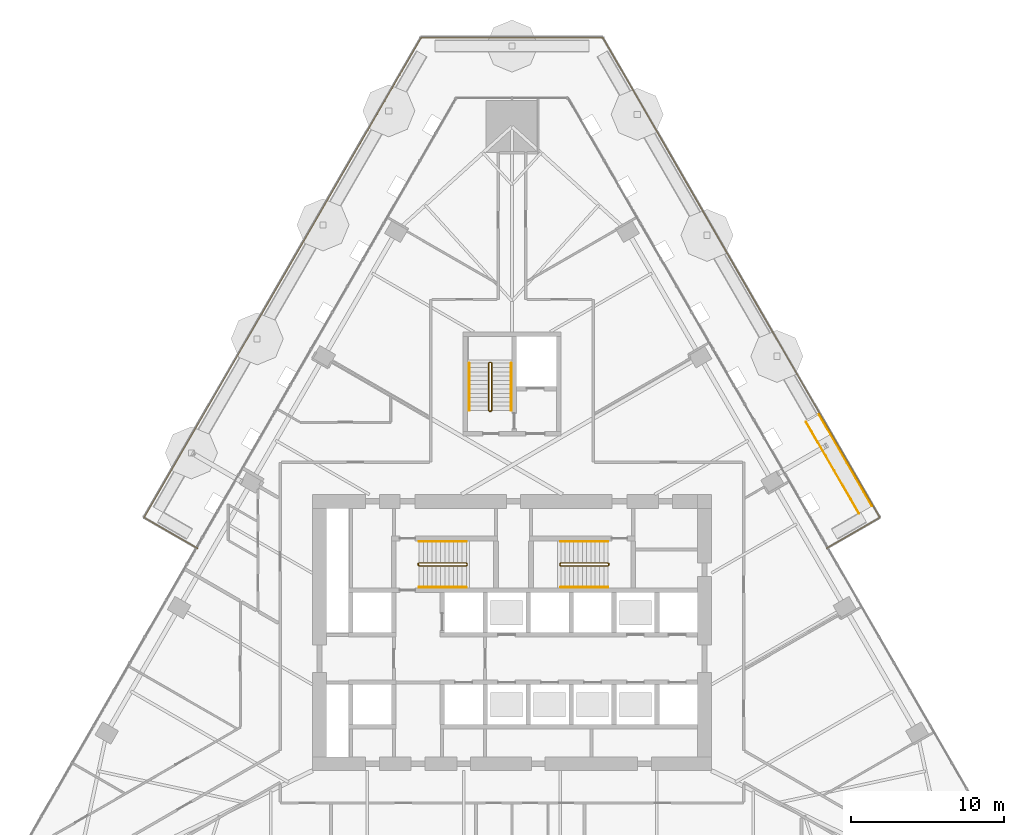
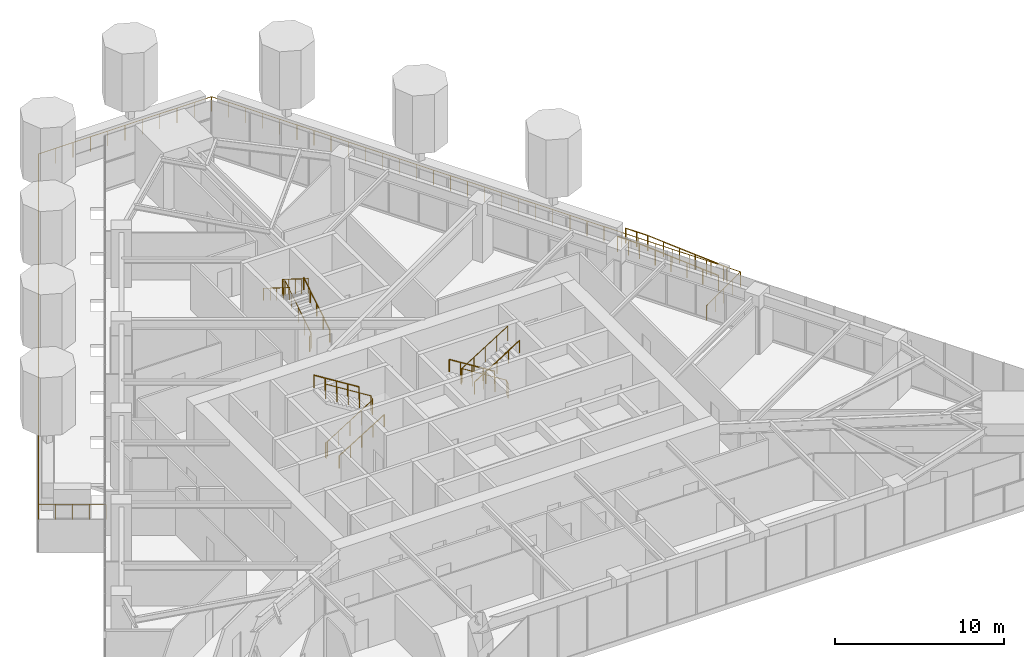
# One storey, part 23 of 25: 12 railings.
"""IFC4 building model written with IfcOpenShell, lengths in metres."""

from ifc_helpers import new_model, si_unit, direction, frame, origin, origin_2d, place, context, subcontext, project, spatial, circle, extrude, material, type_object, element, save


model = new_model("IFC4")

# Units and contexts
model_context = context("Model", 3, precision=1e-05, world=origin(), true_north=direction((0.0, 1.0)))
body_context = subcontext(model_context, "Body", "Model", "MODEL_VIEW")
ifc_project = project(units=[si_unit("LENGTHUNIT", "METRE"), si_unit("AREAUNIT", "SQUARE_METRE"), si_unit("VOLUMEUNIT", "CUBIC_METRE"), si_unit("PLANEANGLEUNIT", "RADIAN"), si_unit("MASSUNIT", "GRAM", prefix="KILO")], contexts=[model_context])

# Site, building, storey
site_placement = place(None, origin())
site = spatial("IfcSite", under=ifc_project, at=site_placement, CompositionType="ELEMENT")
building_placement = place(site_placement, origin())
building = spatial("IfcBuilding", under=site, at=building_placement, Name="Firuza Gate Tower and Library", CompositionType="ELEMENT")
storey_placement = place(building_placement, frame((0.0, 0.0, 86.199951171875)))
storey = spatial("IfcBuildingStorey", under=building, at=storey_placement, Name="L19", CompositionType="ELEMENT", Elevation=86.199951171875)

# Railings
ifc_material_1 = material(Name="Steel S355", Category="steel")
railing_type_1 = type_object("IfcRailingType", Name="Garden ramp guard 1100", PredefinedType="GUARDRAIL", material=ifc_material_1)
for number, where, name in (
    (1, (97.6142578125, 82.752685546875, 0.050048828125), "Ramp guard"),
    (2, (98.462890625, 83.24267578125, 0.050048828125), "Ramp guard"),
):
    element("IfcRailing", number, at=place(storey_placement, frame(where)), inside=storey, type_object=railing_type_1, Name=name, PredefinedType="GUARDRAIL", context=body_context, shape_type="SweptSolid", body=[
        extrude(circle(Radius=0.02392578125, at=origin_2d()), frame((0.0, 0.0, 1.076171875), z_axis=(-0.498629635652, 0.863663140512, 0.073854357826), x_axis=(-0.866028230842, -0.499995103361, 0.0)), (0.0, 0.0, 1.0), 5.414794921875),
        extrude(circle(Radius=0.02392578125, at=origin_2d()), frame((-2.699951171875, 4.676513671875, 1.47607421875), z_axis=(-0.499990139034, 0.866031096941, 0.0), x_axis=(-0.866031096941, -0.499990139034, 0.0)), (0.0, 0.0, 1.0), 1.5),
        extrude(circle(Radius=0.02099609375, at=origin_2d()), origin(), (0.0, 0.0, 1.0), 1.052001953125),
        extrude(circle(Radius=0.02099609375, at=origin_2d()), frame((-0.5400390625, 0.935302734375, 0.080078125)), (0.0, 0.0, 1.0), 1.052001953125),
        extrude(circle(Radius=0.02099609375, at=origin_2d()), frame((-1.080078125, 1.87060546875, 0.159912109375)), (0.0, 0.0, 1.0), 1.052001953125),
        extrude(circle(Radius=0.02099609375, at=origin_2d()), frame((-1.619873046875, 2.805908203125, 0.239990234375)), (0.0, 0.0, 1.0), 1.052001953125),
        extrude(circle(Radius=0.02099609375, at=origin_2d()), frame((-2.159912109375, 3.7412109375, 0.31982421875)), (0.0, 0.0, 1.0), 1.052001953125),
        extrude(circle(Radius=0.02099609375, at=origin_2d()), frame((-2.699951171875, 4.676513671875, 0.39990234375)), (0.0, 0.0, 1.0), 1.052001953125),
        extrude(circle(Radius=0.02099609375, at=origin_2d()), frame((-3.074951171875, 5.326171875, 0.39990234375)), (0.0, 0.0, 1.0), 1.052001953125),
        extrude(circle(Radius=0.02099609375, at=origin_2d()), frame((-3.449951171875, 5.9755859375, 0.39990234375)), (0.0, 0.0, 1.0), 1.052001953125),
    ])
ifc_material_2 = material(Name="Steel S355", Category="steel")
railing_type_2 = type_object("IfcRailingType", Name="Stair guard 1100", PredefinedType="GUARDRAIL", material=ifc_material_2)
railing_1_placement = place(storey_placement, frame((68.889892578125, 79.389892578125, 0.0)))
element("IfcRailing", 3, at=railing_1_placement, inside=storey, type_object=railing_type_2, Name="L19 ST1 stair guard 1", PredefinedType="GUARDRAIL", context=body_context, shape_type="SweptSolid", body=[
    extrude(circle(Radius=0.02392578125, at=origin_2d()), frame((0.0, 0.0, 1.076171875), z_axis=(0.0, 1.0, 0.0), x_axis=(-1.0, 0.0, 0.0)), (0.0, 0.0, 1.0), 0.10009765625),
    extrude(circle(Radius=0.02392578125, at=origin_2d()), frame((0.0, 0.10009765625, 1.076171875), z_axis=(0.21222055169, -0.635626432867, 0.742254319813), x_axis=(0.948528701346, 0.316691178788, 0.0)), (0.0, 0.0, 1.0), 0.23583984375),
    extrude(circle(Radius=0.02392578125, at=origin_2d()), frame((0.050048828125, -0.0498046875, 1.2509765625), z_axis=(0.847998304005, 0.0, 0.529998940003), x_axis=(0.0, 1.0, 0.0)), (0.0, 0.0, 1.0), 3.632080078125),
    extrude(circle(Radius=0.02392578125, at=origin_2d()), frame((3.130126953125, -0.0498046875, 3.17626953125), z_axis=(0.708833529934, 0.705375805398, 0.0), x_axis=(-0.705375805398, 0.708833529934, 0.0)), (0.0, 0.0, 1.0), 0.070556640625),
    extrude(circle(Radius=0.02392578125, at=origin_2d()), frame((3.18017578125, 0.0, 3.17626953125), z_axis=(0.0, 1.0, 0.0), x_axis=(-1.0, 0.0, 0.0)), (0.0, 0.0, 1.0), 0.10009765625),
    extrude(circle(Radius=0.02392578125, at=origin_2d()), frame((3.18017578125, 0.10009765625, 3.17626953125), z_axis=(-0.265065253269, 0.265065253269, 0.927081885822), x_axis=(-0.707106781187, -0.707106781187, 0.0)), (0.0, 0.0, 1.0), 0.188720703125),
    extrude(circle(Radius=0.02392578125, at=origin_2d()), frame((3.130126953125, 0.150146484375, 3.35107421875), z_axis=(-0.848028513186, 0.0, 0.529950602248), x_axis=(0.0, -1.0, 0.0)), (0.0, 0.0, 1.0), 3.632080078125),
    extrude(circle(Radius=0.02099609375, at=origin_2d()), origin(), (0.0, 0.0, 1.0), 1.052001953125),
    extrude(circle(Radius=0.02099609375, at=origin_2d()), frame((0.0, 0.10009765625, 0.0)), (0.0, 0.0, 1.0), 1.052001953125),
    extrude(circle(Radius=0.02099609375, at=origin_2d()), frame((0.050048828125, -0.0498046875, 0.175048828125)), (0.0, 0.0, 1.0), 1.052001953125),
    extrude(circle(Radius=0.02099609375, at=origin_2d()), frame((0.820068359375, -0.0498046875, 0.65625)), (0.0, 0.0, 1.0), 1.052001953125),
    extrude(circle(Radius=0.02099609375, at=origin_2d()), frame((1.590087890625, -0.0498046875, 1.1376953125)), (0.0, 0.0, 1.0), 1.052001953125),
    extrude(circle(Radius=0.02099609375, at=origin_2d()), frame((2.360107421875, -0.0498046875, 1.618896484375)), (0.0, 0.0, 1.0), 1.052001953125),
    extrude(circle(Radius=0.02099609375, at=origin_2d()), frame((3.130126953125, -0.0498046875, 2.10009765625)), (0.0, 0.0, 1.0), 1.052001953125),
    extrude(circle(Radius=0.02099609375, at=origin_2d()), frame((3.18017578125, 0.0, 2.10009765625)), (0.0, 0.0, 1.0), 1.052001953125),
    extrude(circle(Radius=0.02099609375, at=origin_2d()), frame((3.18017578125, 0.10009765625, 2.10009765625)), (0.0, 0.0, 1.0), 1.052001953125),
    extrude(circle(Radius=0.02099609375, at=origin_2d()), frame((3.130126953125, 0.150146484375, 2.275146484375)), (0.0, 0.0, 1.0), 1.052001953125),
    extrude(circle(Radius=0.02099609375, at=origin_2d()), frame((2.360107421875, 0.150146484375, 2.75634765625)), (0.0, 0.0, 1.0), 1.052001953125),
    extrude(circle(Radius=0.02099609375, at=origin_2d()), frame((1.590087890625, 0.150146484375, 3.237548828125)), (0.0, 0.0, 1.0), 1.052001953125),
    extrude(circle(Radius=0.02099609375, at=origin_2d()), frame((0.820068359375, 0.150146484375, 3.71875)), (0.0, 0.0, 1.0), 1.052001953125),
    extrude(circle(Radius=0.02099609375, at=origin_2d()), frame((0.050048828125, 0.150146484375, 4.199951171875)), (0.0, 0.0, 1.0), 1.052001953125),
])
railing_2_placement = place(storey_placement, frame((81.31005859375, 79.489990234375, 0.0)))
element("IfcRailing", 4, at=railing_2_placement, inside=storey, type_object=railing_type_2, Name="L19 ST2 stair guard 1", PredefinedType="GUARDRAIL", context=body_context, shape_type="SweptSolid", body=[
    extrude(circle(Radius=0.02392578125, at=origin_2d()), frame((0.0, 0.0, 1.076171875), z_axis=(0.0, -1.0, 0.0), x_axis=(1.0, 0.0, 0.0)), (0.0, 0.0, 1.0), 0.10009765625),
    extrude(circle(Radius=0.02392578125, at=origin_2d()), frame((0.0, -0.10009765625, 1.076171875), z_axis=(-0.212080931658, 0.636242794973, 0.741765990237), x_axis=(-0.948683298051, -0.316227766017, 0.0)), (0.0, 0.0, 1.0), 0.236083984375),
    extrude(circle(Radius=0.02392578125, at=origin_2d()), frame((-0.050048828125, 0.050048828125, 1.2509765625), z_axis=(-0.847998304005, 0.0, 0.529998940003), x_axis=(0.0, -1.0, 0.0)), (0.0, 0.0, 1.0), 3.632080078125),
    extrude(circle(Radius=0.02392578125, at=origin_2d()), frame((-3.130126953125, 0.050048828125, 3.17626953125), z_axis=(-0.707106781187, -0.707106781187, 0.0), x_axis=(0.707106781187, -0.707106781187, 0.0)), (0.0, 0.0, 1.0), 0.07080078125),
    extrude(circle(Radius=0.02392578125, at=origin_2d()), frame((-3.18017578125, 0.0, 3.17626953125), z_axis=(0.0, -1.0, 0.0), x_axis=(1.0, 0.0, 0.0)), (0.0, 0.0, 1.0), 0.10009765625),
    extrude(circle(Radius=0.02392578125, at=origin_2d()), frame((-3.18017578125, -0.10009765625, 3.17626953125), z_axis=(0.265155923931, -0.263862480399, 0.927399011991), x_axis=(0.705375805398, 0.708833529934, 0.0)), (0.0, 0.0, 1.0), 0.188720703125),
    extrude(circle(Radius=0.02392578125, at=origin_2d()), frame((-3.130126953125, -0.14990234375, 3.35107421875), z_axis=(0.848028513186, 0.0, 0.529950602248), x_axis=(0.0, 1.0, 0.0)), (0.0, 0.0, 1.0), 3.632080078125),
    extrude(circle(Radius=0.02099609375, at=origin_2d()), origin(), (0.0, 0.0, 1.0), 1.052001953125),
    extrude(circle(Radius=0.02099609375, at=origin_2d()), frame((0.0, -0.10009765625, 0.0)), (0.0, 0.0, 1.0), 1.052001953125),
    extrude(circle(Radius=0.02099609375, at=origin_2d()), frame((-0.050048828125, 0.050048828125, 0.175048828125)), (0.0, 0.0, 1.0), 1.052001953125),
    extrude(circle(Radius=0.02099609375, at=origin_2d()), frame((-0.820068359375, 0.050048828125, 0.65625)), (0.0, 0.0, 1.0), 1.052001953125),
    extrude(circle(Radius=0.02099609375, at=origin_2d()), frame((-1.590087890625, 0.050048828125, 1.1376953125)), (0.0, 0.0, 1.0), 1.052001953125),
    extrude(circle(Radius=0.02099609375, at=origin_2d()), frame((-2.360107421875, 0.050048828125, 1.618896484375)), (0.0, 0.0, 1.0), 1.052001953125),
    extrude(circle(Radius=0.02099609375, at=origin_2d()), frame((-3.130126953125, 0.050048828125, 2.10009765625)), (0.0, 0.0, 1.0), 1.052001953125),
    extrude(circle(Radius=0.02099609375, at=origin_2d()), frame((-3.18017578125, 0.0, 2.10009765625)), (0.0, 0.0, 1.0), 1.052001953125),
    extrude(circle(Radius=0.02099609375, at=origin_2d()), frame((-3.18017578125, -0.10009765625, 2.10009765625)), (0.0, 0.0, 1.0), 1.052001953125),
    extrude(circle(Radius=0.02099609375, at=origin_2d()), frame((-3.130126953125, -0.14990234375, 2.275146484375)), (0.0, 0.0, 1.0), 1.052001953125),
    extrude(circle(Radius=0.02099609375, at=origin_2d()), frame((-2.360107421875, -0.14990234375, 2.75634765625)), (0.0, 0.0, 1.0), 1.052001953125),
    extrude(circle(Radius=0.02099609375, at=origin_2d()), frame((-1.590087890625, -0.14990234375, 3.237548828125)), (0.0, 0.0, 1.0), 1.052001953125),
    extrude(circle(Radius=0.02099609375, at=origin_2d()), frame((-0.820068359375, -0.14990234375, 3.71875)), (0.0, 0.0, 1.0), 1.052001953125),
    extrude(circle(Radius=0.02099609375, at=origin_2d()), frame((-0.050048828125, -0.14990234375, 4.199951171875)), (0.0, 0.0, 1.0), 1.052001953125),
])
railing_3_placement = place(storey_placement, frame((73.6298828125, 89.419921875, 0.0)))
element("IfcRailing", 5, at=railing_3_placement, inside=storey, type_object=railing_type_2, Name="L19 ST3 stair guard 1", PredefinedType="GUARDRAIL", context=body_context, shape_type="SweptSolid", body=[
    extrude(circle(Radius=0.02392578125, at=origin_2d()), frame((0.0, 0.0, 1.076171875), z_axis=(-1.0, 0.0, 0.0), x_axis=(0.0, -1.0, 0.0)), (0.0, 0.0, 1.0), 0.099853515625),
    extrude(circle(Radius=0.02392578125, at=origin_2d()), frame((-0.099853515625, 0.0, 1.076171875), z_axis=(0.635626432867, 0.21222055169, 0.742254319813), x_axis=(-0.316691178788, 0.948528701346, 0.0)), (0.0, 0.0, 1.0), 0.23583984375),
    extrude(circle(Radius=0.02392578125, at=origin_2d()), frame((0.050048828125, 0.050048828125, 1.2509765625), z_axis=(0.0, 0.847998304005, 0.529998940003), x_axis=(-1.0, 0.0, 0.0)), (0.0, 0.0, 1.0), 3.632080078125),
    extrude(circle(Radius=0.02392578125, at=origin_2d()), frame((0.050048828125, 3.130126953125, 3.17626953125), z_axis=(-0.707106781187, 0.707106781187, 0.0), x_axis=(-0.707106781187, -0.707106781187, 0.0)), (0.0, 0.0, 1.0), 0.07080078125),
    extrude(circle(Radius=0.02392578125, at=origin_2d()), frame((0.0, 3.18017578125, 3.17626953125), z_axis=(-1.0, 0.0, 0.0), x_axis=(0.0, -1.0, 0.0)), (0.0, 0.0, 1.0), 0.099853515625),
    extrude(circle(Radius=0.02392578125, at=origin_2d()), frame((-0.099853515625, 3.18017578125, 3.17626953125), z_axis=(-0.265065253269, -0.265065253269, 0.927081885822), x_axis=(0.707106781187, -0.707106781187, 0.0)), (0.0, 0.0, 1.0), 0.188720703125),
    extrude(circle(Radius=0.02392578125, at=origin_2d()), frame((-0.14990234375, 3.130126953125, 3.35107421875), z_axis=(0.0, -0.848028513186, 0.529950602248), x_axis=(1.0, 0.0, 0.0)), (0.0, 0.0, 1.0), 3.632080078125),
    extrude(circle(Radius=0.02099609375, at=origin_2d()), origin(), (0.0, 0.0, 1.0), 1.052001953125),
    extrude(circle(Radius=0.02099609375, at=origin_2d()), frame((-0.099853515625, 0.0, 0.0)), (0.0, 0.0, 1.0), 1.052001953125),
    extrude(circle(Radius=0.02099609375, at=origin_2d()), frame((0.050048828125, 0.050048828125, 0.175048828125)), (0.0, 0.0, 1.0), 1.052001953125),
    extrude(circle(Radius=0.02099609375, at=origin_2d()), frame((0.050048828125, 0.820068359375, 0.65625)), (0.0, 0.0, 1.0), 1.052001953125),
    extrude(circle(Radius=0.02099609375, at=origin_2d()), frame((0.050048828125, 1.590087890625, 1.1376953125)), (0.0, 0.0, 1.0), 1.052001953125),
    extrude(circle(Radius=0.02099609375, at=origin_2d()), frame((0.050048828125, 2.360107421875, 1.618896484375)), (0.0, 0.0, 1.0), 1.052001953125),
    extrude(circle(Radius=0.02099609375, at=origin_2d()), frame((0.050048828125, 3.130126953125, 2.10009765625)), (0.0, 0.0, 1.0), 1.052001953125),
    extrude(circle(Radius=0.02099609375, at=origin_2d()), frame((0.0, 3.18017578125, 2.10009765625)), (0.0, 0.0, 1.0), 1.052001953125),
    extrude(circle(Radius=0.02099609375, at=origin_2d()), frame((-0.099853515625, 3.18017578125, 2.10009765625)), (0.0, 0.0, 1.0), 1.052001953125),
    extrude(circle(Radius=0.02099609375, at=origin_2d()), frame((-0.14990234375, 3.130126953125, 2.275146484375)), (0.0, 0.0, 1.0), 1.052001953125),
    extrude(circle(Radius=0.02099609375, at=origin_2d()), frame((-0.14990234375, 2.360107421875, 2.75634765625)), (0.0, 0.0, 1.0), 1.052001953125),
    extrude(circle(Radius=0.02099609375, at=origin_2d()), frame((-0.14990234375, 1.590087890625, 3.237548828125)), (0.0, 0.0, 1.0), 1.052001953125),
    extrude(circle(Radius=0.02099609375, at=origin_2d()), frame((-0.14990234375, 0.820068359375, 3.71875)), (0.0, 0.0, 1.0), 1.052001953125),
    extrude(circle(Radius=0.02099609375, at=origin_2d()), frame((-0.14990234375, 0.050048828125, 4.199951171875)), (0.0, 0.0, 1.0), 1.052001953125),
])
ifc_material_3 = material(Name="Steel S355", Category="steel")
railing_type_3 = type_object("IfcRailingType", Name="Stair handrail 900", PredefinedType="HANDRAIL", material=ifc_material_3)
railing_4_placement = place(storey_placement, frame((68.93994140625, 77.949951171875, 0.175048828125)))
element("IfcRailing", 6, at=railing_4_placement, inside=storey, type_object=railing_type_3, Name="L19 ST1 stair handrail 1", PredefinedType="HANDRAIL", context=body_context, shape_type="SweptSolid", body=[
    extrude(circle(Radius=0.02392578125, at=origin_2d()), frame((0.0, 0.0, 0.8759765625), z_axis=(0.847998304005, 0.0, 0.529998940003), x_axis=(0.0, 1.0, 0.0)), (0.0, 0.0, 1.0), 3.632080078125),
    extrude(circle(Radius=0.02099609375, at=origin_2d()), origin(), (0.0, 0.0, 1.0), 0.851806640625),
    extrude(circle(Radius=0.02099609375, at=origin_2d()), frame((0.77001953125, 0.0, 0.481201171875)), (0.0, 0.0, 1.0), 0.851806640625),
    extrude(circle(Radius=0.02099609375, at=origin_2d()), frame((1.5400390625, 0.0, 0.96240234375)), (0.0, 0.0, 1.0), 0.851806640625),
    extrude(circle(Radius=0.02099609375, at=origin_2d()), frame((2.31005859375, 0.0, 1.44384765625)), (0.0, 0.0, 1.0), 0.851806640625),
    extrude(circle(Radius=0.02099609375, at=origin_2d()), frame((3.080078125, 0.0, 1.925048828125)), (0.0, 0.0, 1.0), 0.851806640625),
])
railing_5_placement = place(storey_placement, frame((72.02001953125, 80.929931640625, 2.275146484375)))
element("IfcRailing", 7, at=railing_5_placement, inside=storey, type_object=railing_type_3, Name="L19 ST1 stair handrail 2", PredefinedType="HANDRAIL", context=body_context, shape_type="SweptSolid", body=[
    extrude(circle(Radius=0.02392578125, at=origin_2d()), frame((0.0, 0.0, 0.8759765625), z_axis=(-0.848028513186, 0.0, 0.529950602248), x_axis=(0.0, -1.0, 0.0)), (0.0, 0.0, 1.0), 3.632080078125),
    extrude(circle(Radius=0.02099609375, at=origin_2d()), origin(), (0.0, 0.0, 1.0), 0.851806640625),
    extrude(circle(Radius=0.02099609375, at=origin_2d()), frame((-0.77001953125, 0.0, 0.481201171875)), (0.0, 0.0, 1.0), 0.851806640625),
    extrude(circle(Radius=0.02099609375, at=origin_2d()), frame((-1.5400390625, 0.0, 0.96240234375)), (0.0, 0.0, 1.0), 0.851806640625),
    extrude(circle(Radius=0.02099609375, at=origin_2d()), frame((-2.31005859375, 0.0, 1.443603515625)), (0.0, 0.0, 1.0), 0.851806640625),
    extrude(circle(Radius=0.02099609375, at=origin_2d()), frame((-3.080078125, 0.0, 1.9248046875)), (0.0, 0.0, 1.0), 0.851806640625),
])
railing_6_placement = place(storey_placement, frame((81.260009765625, 80.929931640625, 0.175048828125)))
element("IfcRailing", 8, at=railing_6_placement, inside=storey, type_object=railing_type_3, Name="L19 ST2 stair handrail 1", PredefinedType="HANDRAIL", context=body_context, shape_type="SweptSolid", body=[
    extrude(circle(Radius=0.02392578125, at=origin_2d()), frame((0.0, 0.0, 0.8759765625), z_axis=(-0.847998304005, 0.0, 0.529998940003), x_axis=(0.0, -1.0, 0.0)), (0.0, 0.0, 1.0), 3.632080078125),
    extrude(circle(Radius=0.02099609375, at=origin_2d()), origin(), (0.0, 0.0, 1.0), 0.851806640625),
    extrude(circle(Radius=0.02099609375, at=origin_2d()), frame((-0.77001953125, 0.0, 0.481201171875)), (0.0, 0.0, 1.0), 0.851806640625),
    extrude(circle(Radius=0.02099609375, at=origin_2d()), frame((-1.5400390625, 0.0, 0.96240234375)), (0.0, 0.0, 1.0), 0.851806640625),
    extrude(circle(Radius=0.02099609375, at=origin_2d()), frame((-2.31005859375, 0.0, 1.44384765625)), (0.0, 0.0, 1.0), 0.851806640625),
    extrude(circle(Radius=0.02099609375, at=origin_2d()), frame((-3.080078125, 0.0, 1.925048828125)), (0.0, 0.0, 1.0), 0.851806640625),
])
railing_7_placement = place(storey_placement, frame((78.179931640625, 77.949951171875, 2.275146484375)))
element("IfcRailing", 9, at=railing_7_placement, inside=storey, type_object=railing_type_3, Name="L19 ST2 stair handrail 2", PredefinedType="HANDRAIL", context=body_context, shape_type="SweptSolid", body=[
    extrude(circle(Radius=0.02392578125, at=origin_2d()), frame((0.0, 0.0, 0.8759765625), z_axis=(0.848028513186, 0.0, 0.529950602248), x_axis=(0.0, 1.0, 0.0)), (0.0, 0.0, 1.0), 3.632080078125),
    extrude(circle(Radius=0.02099609375, at=origin_2d()), origin(), (0.0, 0.0, 1.0), 0.851806640625),
    extrude(circle(Radius=0.02099609375, at=origin_2d()), frame((0.77001953125, 0.0, 0.481201171875)), (0.0, 0.0, 1.0), 0.851806640625),
    extrude(circle(Radius=0.02099609375, at=origin_2d()), frame((1.5400390625, 0.0, 0.96240234375)), (0.0, 0.0, 1.0), 0.851806640625),
    extrude(circle(Radius=0.02099609375, at=origin_2d()), frame((2.31005859375, 0.0, 1.443603515625)), (0.0, 0.0, 1.0), 0.851806640625),
    extrude(circle(Radius=0.02099609375, at=origin_2d()), frame((3.080078125, 0.0, 1.9248046875)), (0.0, 0.0, 1.0), 0.851806640625),
])
railing_8_placement = place(storey_placement, frame((74.949951171875, 89.469970703125, 0.175048828125)))
element("IfcRailing", 10, at=railing_8_placement, inside=storey, type_object=railing_type_3, Name="L19 ST3 stair handrail 1", PredefinedType="HANDRAIL", context=body_context, shape_type="SweptSolid", body=[
    extrude(circle(Radius=0.02392578125, at=origin_2d()), frame((0.0, 0.0, 0.8759765625), z_axis=(0.0, 0.847998304005, 0.529998940003), x_axis=(-1.0, 0.0, 0.0)), (0.0, 0.0, 1.0), 3.632080078125),
    extrude(circle(Radius=0.02099609375, at=origin_2d()), origin(), (0.0, 0.0, 1.0), 0.851806640625),
    extrude(circle(Radius=0.02099609375, at=origin_2d()), frame((0.0, 0.77001953125, 0.481201171875)), (0.0, 0.0, 1.0), 0.851806640625),
    extrude(circle(Radius=0.02099609375, at=origin_2d()), frame((0.0, 1.5400390625, 0.96240234375)), (0.0, 0.0, 1.0), 0.851806640625),
    extrude(circle(Radius=0.02099609375, at=origin_2d()), frame((0.0, 2.31005859375, 1.44384765625)), (0.0, 0.0, 1.0), 0.851806640625),
    extrude(circle(Radius=0.02099609375, at=origin_2d()), frame((0.0, 3.080078125, 1.925048828125)), (0.0, 0.0, 1.0), 0.851806640625),
])
railing_9_placement = place(storey_placement, frame((72.2099609375, 92.550048828125, 2.275146484375)))
element("IfcRailing", 11, at=railing_9_placement, inside=storey, type_object=railing_type_3, Name="L19 ST3 stair handrail 2", PredefinedType="HANDRAIL", context=body_context, shape_type="SweptSolid", body=[
    extrude(circle(Radius=0.02392578125, at=origin_2d()), frame((0.0, 0.0, 0.8759765625), z_axis=(0.0, -0.848028513186, 0.529950602248), x_axis=(1.0, 0.0, 0.0)), (0.0, 0.0, 1.0), 3.632080078125),
    extrude(circle(Radius=0.02099609375, at=origin_2d()), origin(), (0.0, 0.0, 1.0), 0.851806640625),
    extrude(circle(Radius=0.02099609375, at=origin_2d()), frame((0.0, -0.77001953125, 0.481201171875)), (0.0, 0.0, 1.0), 0.851806640625),
    extrude(circle(Radius=0.02099609375, at=origin_2d()), frame((0.0, -1.5400390625, 0.96240234375)), (0.0, 0.0, 1.0), 0.851806640625),
    extrude(circle(Radius=0.02099609375, at=origin_2d()), frame((0.0, -2.31005859375, 1.443603515625)), (0.0, 0.0, 1.0), 0.851806640625),
    extrude(circle(Radius=0.02099609375, at=origin_2d()), frame((0.0, -3.080078125, 1.9248046875)), (0.0, 0.0, 1.0), 0.851806640625),
])
ifc_material_4 = material(Name="Steel S355", Category="steel")
railing_type_4 = type_object("IfcRailingType", Name="Terrace guard 1100", PredefinedType="GUARDRAIL", material=ifc_material_4)
railing_10_placement = place(storey_placement, frame((95.500732421875, 80.4931640625, 0.0)))
element("IfcRailing", 12, at=railing_10_placement, inside=storey, type_object=railing_type_4, Name="Tray guard L19", PredefinedType="GUARDRAIL", context=body_context, shape_type="SweptSolid", body=[
    extrude(circle(Radius=0.02392578125, at=origin_2d()), frame((0.0, 0.0, 1.076171875), z_axis=(0.866026010844, 0.49999894854, 0.0), x_axis=(-0.49999894854, 0.866026010844, 0.0)), (0.0, 0.0, 1.0), 4.0),
    extrude(circle(Radius=0.02392578125, at=origin_2d()), frame((3.464111328125, 2.0, 1.076171875), z_axis=(-0.499999465647, 0.866025712293, 0.0), x_axis=(-0.866025712293, -0.499999465647, 0.0)), (0.0, 0.0, 1.0), 36.11083984375),
    extrude(circle(Radius=0.02392578125, at=origin_2d()), frame((-14.59130859375, 33.27294921875, 1.076171875), z_axis=(-1.0, 0.0, 0.0), x_axis=(0.0, -1.0, 0.0)), (0.0, 0.0, 1.0), 11.81884765625),
    extrude(circle(Radius=0.02392578125, at=origin_2d()), frame((-26.41015625, 33.27294921875, 1.076171875), z_axis=(-0.499999465647, -0.866025712293, 0.0), x_axis=(0.866025712293, -0.499999465647, 0.0)), (0.0, 0.0, 1.0), 36.11083984375),
    extrude(circle(Radius=0.02392578125, at=origin_2d()), frame((-44.465576171875, 2.0, 1.076171875), z_axis=(0.866026010844, -0.49999894854, 0.0), x_axis=(0.49999894854, 0.866026010844, 0.0)), (0.0, 0.0, 1.0), 4.0),
    extrude(circle(Radius=0.02099609375, at=origin_2d()), origin(), (0.0, 0.0, 1.0), 1.052001953125),
    extrude(circle(Radius=0.02099609375, at=origin_2d()), frame((0.865966796875, 0.5, 0.0)), (0.0, 0.0, 1.0), 1.052001953125),
    extrude(circle(Radius=0.02099609375, at=origin_2d()), frame((1.73193359375, 1.0, 0.0)), (0.0, 0.0, 1.0), 1.052001953125),
    extrude(circle(Radius=0.02099609375, at=origin_2d()), frame((2.59814453125, 1.5, 0.0)), (0.0, 0.0, 1.0), 1.052001953125),
    extrude(circle(Radius=0.02099609375, at=origin_2d()), frame((3.464111328125, 2.0, 0.0)), (0.0, 0.0, 1.0), 1.052001953125),
    extrude(circle(Radius=0.02099609375, at=origin_2d()), frame((2.881591796875, 3.0087890625, 0.0)), (0.0, 0.0, 1.0), 1.052001953125),
    extrude(circle(Radius=0.02099609375, at=origin_2d()), frame((2.29931640625, 4.017578125, 0.0)), (0.0, 0.0, 1.0), 1.052001953125),
    extrude(circle(Radius=0.02099609375, at=origin_2d()), frame((1.716796875, 5.0263671875, 0.0)), (0.0, 0.0, 1.0), 1.052001953125),
    extrude(circle(Radius=0.02099609375, at=origin_2d()), frame((1.13427734375, 6.03515625, 0.0)), (0.0, 0.0, 1.0), 1.052001953125),
    extrude(circle(Radius=0.02099609375, at=origin_2d()), frame((0.552001953125, 7.0439453125, 0.0)), (0.0, 0.0, 1.0), 1.052001953125),
    extrude(circle(Radius=0.02099609375, at=origin_2d()), frame((-0.030517578125, 8.052734375, 0.0)), (0.0, 0.0, 1.0), 1.052001953125),
    extrude(circle(Radius=0.02099609375, at=origin_2d()), frame((-0.613037109375, 9.0615234375, 0.0)), (0.0, 0.0, 1.0), 1.052001953125),
    extrude(circle(Radius=0.02099609375, at=origin_2d()), frame((-1.1953125, 10.070556640625, 0.0)), (0.0, 0.0, 1.0), 1.052001953125),
    extrude(circle(Radius=0.02099609375, at=origin_2d()), frame((-1.77783203125, 11.079345703125, 0.0)), (0.0, 0.0, 1.0), 1.052001953125),
    extrude(circle(Radius=0.02099609375, at=origin_2d()), frame((-2.360107421875, 12.088134765625, 0.0)), (0.0, 0.0, 1.0), 1.052001953125),
    extrude(circle(Radius=0.02099609375, at=origin_2d()), frame((-2.942626953125, 13.096923828125, 0.0)), (0.0, 0.0, 1.0), 1.052001953125),
    extrude(circle(Radius=0.02099609375, at=origin_2d()), frame((-3.525146484375, 14.105712890625, 0.0)), (0.0, 0.0, 1.0), 1.052001953125),
    extrude(circle(Radius=0.02099609375, at=origin_2d()), frame((-4.107421875, 15.114501953125, 0.0)), (0.0, 0.0, 1.0), 1.052001953125),
    extrude(circle(Radius=0.02099609375, at=origin_2d()), frame((-4.68994140625, 16.123291015625, 0.0)), (0.0, 0.0, 1.0), 1.052001953125),
    extrude(circle(Radius=0.02099609375, at=origin_2d()), frame((-5.2724609375, 17.132080078125, 0.0)), (0.0, 0.0, 1.0), 1.052001953125),
    extrude(circle(Radius=0.02099609375, at=origin_2d()), frame((-5.854736328125, 18.140869140625, 0.0)), (0.0, 0.0, 1.0), 1.052001953125),
    extrude(circle(Radius=0.02099609375, at=origin_2d()), frame((-6.437255859375, 19.149658203125, 0.0)), (0.0, 0.0, 1.0), 1.052001953125),
    extrude(circle(Radius=0.02099609375, at=origin_2d()), frame((-7.019775390625, 20.158447265625, 0.0)), (0.0, 0.0, 1.0), 1.052001953125),
    extrude(circle(Radius=0.02099609375, at=origin_2d()), frame((-7.60205078125, 21.167236328125, 0.0)), (0.0, 0.0, 1.0), 1.052001953125),
    extrude(circle(Radius=0.02099609375, at=origin_2d()), frame((-8.1845703125, 22.176025390625, 0.0)), (0.0, 0.0, 1.0), 1.052001953125),
    extrude(circle(Radius=0.02099609375, at=origin_2d()), frame((-8.76708984375, 23.184814453125, 0.0)), (0.0, 0.0, 1.0), 1.052001953125),
    extrude(circle(Radius=0.02099609375, at=origin_2d()), frame((-9.349365234375, 24.193603515625, 0.0)), (0.0, 0.0, 1.0), 1.052001953125),
    extrude(circle(Radius=0.02099609375, at=origin_2d()), frame((-9.931884765625, 25.202392578125, 0.0)), (0.0, 0.0, 1.0), 1.052001953125),
    extrude(circle(Radius=0.02099609375, at=origin_2d()), frame((-10.51416015625, 26.21142578125, 0.0)), (0.0, 0.0, 1.0), 1.052001953125),
    extrude(circle(Radius=0.02099609375, at=origin_2d()), frame((-11.0966796875, 27.22021484375, 0.0)), (0.0, 0.0, 1.0), 1.052001953125),
    extrude(circle(Radius=0.02099609375, at=origin_2d()), frame((-11.67919921875, 28.22900390625, 0.0)), (0.0, 0.0, 1.0), 1.052001953125),
    extrude(circle(Radius=0.02099609375, at=origin_2d()), frame((-12.261474609375, 29.23779296875, 0.0)), (0.0, 0.0, 1.0), 1.052001953125),
    extrude(circle(Radius=0.02099609375, at=origin_2d()), frame((-12.843994140625, 30.24658203125, 0.0)), (0.0, 0.0, 1.0), 1.052001953125),
    extrude(circle(Radius=0.02099609375, at=origin_2d()), frame((-13.426513671875, 31.25537109375, 0.0)), (0.0, 0.0, 1.0), 1.052001953125),
    extrude(circle(Radius=0.02099609375, at=origin_2d()), frame((-14.0087890625, 32.26416015625, 0.0)), (0.0, 0.0, 1.0), 1.052001953125),
    extrude(circle(Radius=0.02099609375, at=origin_2d()), frame((-14.59130859375, 33.27294921875, 0.0)), (0.0, 0.0, 1.0), 1.052001953125),
    extrude(circle(Radius=0.02099609375, at=origin_2d()), frame((-15.773193359375, 33.27294921875, 0.0)), (0.0, 0.0, 1.0), 1.052001953125),
    extrude(circle(Radius=0.02099609375, at=origin_2d()), frame((-16.955078125, 33.27294921875, 0.0)), (0.0, 0.0, 1.0), 1.052001953125),
    extrude(circle(Radius=0.02099609375, at=origin_2d()), frame((-18.136962890625, 33.27294921875, 0.0)), (0.0, 0.0, 1.0), 1.052001953125),
    extrude(circle(Radius=0.02099609375, at=origin_2d()), frame((-19.31884765625, 33.27294921875, 0.0)), (0.0, 0.0, 1.0), 1.052001953125),
    extrude(circle(Radius=0.02099609375, at=origin_2d()), frame((-20.500732421875, 33.27294921875, 0.0)), (0.0, 0.0, 1.0), 1.052001953125),
    extrude(circle(Radius=0.02099609375, at=origin_2d()), frame((-21.6826171875, 33.27294921875, 0.0)), (0.0, 0.0, 1.0), 1.052001953125),
    extrude(circle(Radius=0.02099609375, at=origin_2d()), frame((-22.864501953125, 33.27294921875, 0.0)), (0.0, 0.0, 1.0), 1.052001953125),
    extrude(circle(Radius=0.02099609375, at=origin_2d()), frame((-24.04638671875, 33.27294921875, 0.0)), (0.0, 0.0, 1.0), 1.052001953125),
    extrude(circle(Radius=0.02099609375, at=origin_2d()), frame((-25.228271484375, 33.27294921875, 0.0)), (0.0, 0.0, 1.0), 1.052001953125),
    extrude(circle(Radius=0.02099609375, at=origin_2d()), frame((-26.41015625, 33.27294921875, 0.0)), (0.0, 0.0, 1.0), 1.052001953125),
    extrude(circle(Radius=0.02099609375, at=origin_2d()), frame((-26.99267578125, 32.26416015625, 0.0)), (0.0, 0.0, 1.0), 1.052001953125),
    extrude(circle(Radius=0.02099609375, at=origin_2d()), frame((-27.574951171875, 31.25537109375, 0.0)), (0.0, 0.0, 1.0), 1.052001953125),
    extrude(circle(Radius=0.02099609375, at=origin_2d()), frame((-28.157470703125, 30.24658203125, 0.0)), (0.0, 0.0, 1.0), 1.052001953125),
    extrude(circle(Radius=0.02099609375, at=origin_2d()), frame((-28.739990234375, 29.23779296875, 0.0)), (0.0, 0.0, 1.0), 1.052001953125),
    extrude(circle(Radius=0.02099609375, at=origin_2d()), frame((-29.322265625, 28.22900390625, 0.0)), (0.0, 0.0, 1.0), 1.052001953125),
    extrude(circle(Radius=0.02099609375, at=origin_2d()), frame((-29.90478515625, 27.22021484375, 0.0)), (0.0, 0.0, 1.0), 1.052001953125),
    extrude(circle(Radius=0.02099609375, at=origin_2d()), frame((-30.4873046875, 26.21142578125, 0.0)), (0.0, 0.0, 1.0), 1.052001953125),
    extrude(circle(Radius=0.02099609375, at=origin_2d()), frame((-31.069580078125, 25.202392578125, 0.0)), (0.0, 0.0, 1.0), 1.052001953125),
    extrude(circle(Radius=0.02099609375, at=origin_2d()), frame((-31.652099609375, 24.193603515625, 0.0)), (0.0, 0.0, 1.0), 1.052001953125),
    extrude(circle(Radius=0.02099609375, at=origin_2d()), frame((-32.234375, 23.184814453125, 0.0)), (0.0, 0.0, 1.0), 1.052001953125),
    extrude(circle(Radius=0.02099609375, at=origin_2d()), frame((-32.81689453125, 22.176025390625, 0.0)), (0.0, 0.0, 1.0), 1.052001953125),
    extrude(circle(Radius=0.02099609375, at=origin_2d()), frame((-33.3994140625, 21.167236328125, 0.0)), (0.0, 0.0, 1.0), 1.052001953125),
    extrude(circle(Radius=0.02099609375, at=origin_2d()), frame((-33.981689453125, 20.158447265625, 0.0)), (0.0, 0.0, 1.0), 1.052001953125),
    extrude(circle(Radius=0.02099609375, at=origin_2d()), frame((-34.564208984375, 19.149658203125, 0.0)), (0.0, 0.0, 1.0), 1.052001953125),
    extrude(circle(Radius=0.02099609375, at=origin_2d()), frame((-35.146728515625, 18.140869140625, 0.0)), (0.0, 0.0, 1.0), 1.052001953125),
    extrude(circle(Radius=0.02099609375, at=origin_2d()), frame((-35.72900390625, 17.132080078125, 0.0)), (0.0, 0.0, 1.0), 1.052001953125),
    extrude(circle(Radius=0.02099609375, at=origin_2d()), frame((-36.3115234375, 16.123291015625, 0.0)), (0.0, 0.0, 1.0), 1.052001953125),
    extrude(circle(Radius=0.02099609375, at=origin_2d()), frame((-36.89404296875, 15.114501953125, 0.0)), (0.0, 0.0, 1.0), 1.052001953125),
    extrude(circle(Radius=0.02099609375, at=origin_2d()), frame((-37.476318359375, 14.105712890625, 0.0)), (0.0, 0.0, 1.0), 1.052001953125),
    extrude(circle(Radius=0.02099609375, at=origin_2d()), frame((-38.058837890625, 13.096923828125, 0.0)), (0.0, 0.0, 1.0), 1.052001953125),
    extrude(circle(Radius=0.02099609375, at=origin_2d()), frame((-38.641357421875, 12.088134765625, 0.0)), (0.0, 0.0, 1.0), 1.052001953125),
    extrude(circle(Radius=0.02099609375, at=origin_2d()), frame((-39.2236328125, 11.079345703125, 0.0)), (0.0, 0.0, 1.0), 1.052001953125),
    extrude(circle(Radius=0.02099609375, at=origin_2d()), frame((-39.80615234375, 10.070556640625, 0.0)), (0.0, 0.0, 1.0), 1.052001953125),
    extrude(circle(Radius=0.02099609375, at=origin_2d()), frame((-40.388427734375, 9.0615234375, 0.0)), (0.0, 0.0, 1.0), 1.052001953125),
    extrude(circle(Radius=0.02099609375, at=origin_2d()), frame((-40.970947265625, 8.052734375, 0.0)), (0.0, 0.0, 1.0), 1.052001953125),
    extrude(circle(Radius=0.02099609375, at=origin_2d()), frame((-41.553466796875, 7.0439453125, 0.0)), (0.0, 0.0, 1.0), 1.052001953125),
    extrude(circle(Radius=0.02099609375, at=origin_2d()), frame((-42.1357421875, 6.03515625, 0.0)), (0.0, 0.0, 1.0), 1.052001953125),
    extrude(circle(Radius=0.02099609375, at=origin_2d()), frame((-42.71826171875, 5.0263671875, 0.0)), (0.0, 0.0, 1.0), 1.052001953125),
    extrude(circle(Radius=0.02099609375, at=origin_2d()), frame((-43.30078125, 4.017578125, 0.0)), (0.0, 0.0, 1.0), 1.052001953125),
    extrude(circle(Radius=0.02099609375, at=origin_2d()), frame((-43.883056640625, 3.0087890625, 0.0)), (0.0, 0.0, 1.0), 1.052001953125),
    extrude(circle(Radius=0.02099609375, at=origin_2d()), frame((-44.465576171875, 2.0, 0.0)), (0.0, 0.0, 1.0), 1.052001953125),
    extrude(circle(Radius=0.02099609375, at=origin_2d()), frame((-43.599609375, 1.5, 0.0)), (0.0, 0.0, 1.0), 1.052001953125),
    extrude(circle(Radius=0.02099609375, at=origin_2d()), frame((-42.7333984375, 1.0, 0.0)), (0.0, 0.0, 1.0), 1.052001953125),
    extrude(circle(Radius=0.02099609375, at=origin_2d()), frame((-41.867431640625, 0.5, 0.0)), (0.0, 0.0, 1.0), 1.052001953125),
    extrude(circle(Radius=0.02099609375, at=origin_2d()), frame((-41.00146484375, 0.0, 0.0)), (0.0, 0.0, 1.0), 1.052001953125),
])

save(model, "model.ifc")
